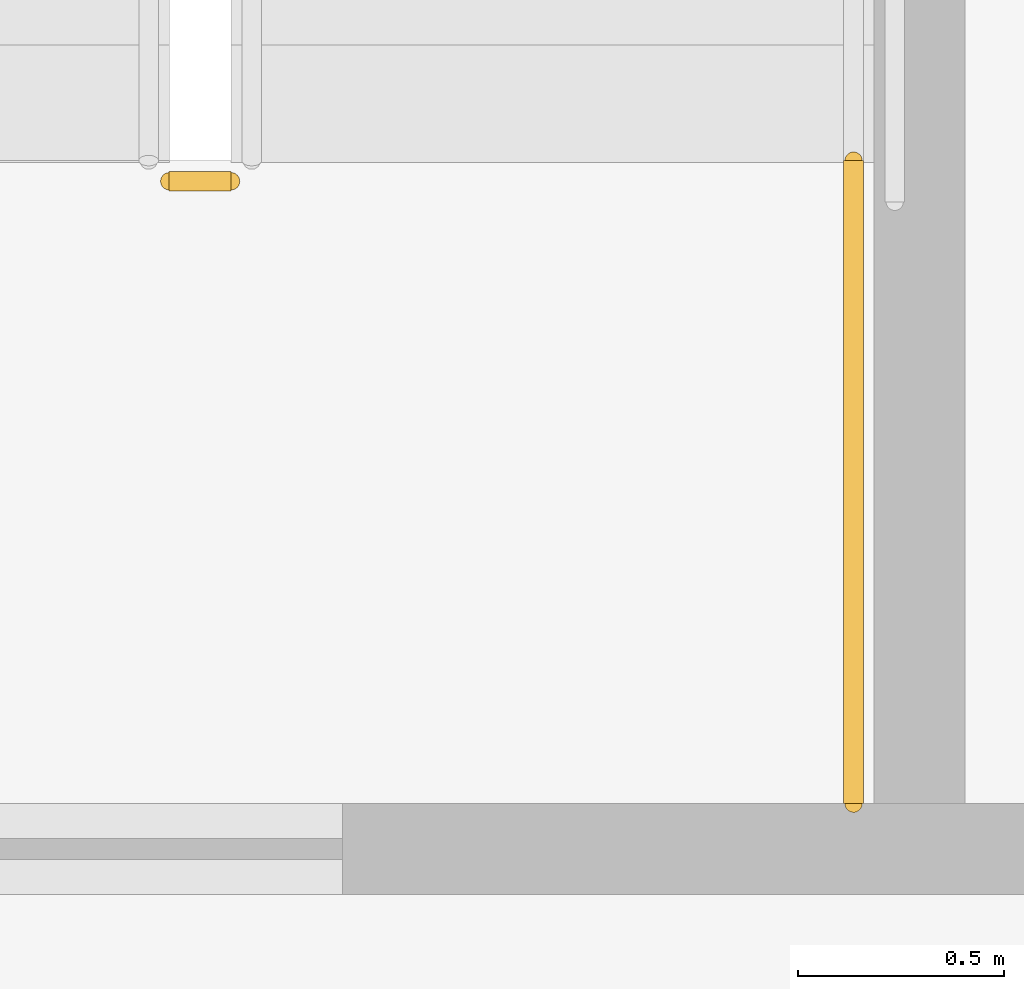
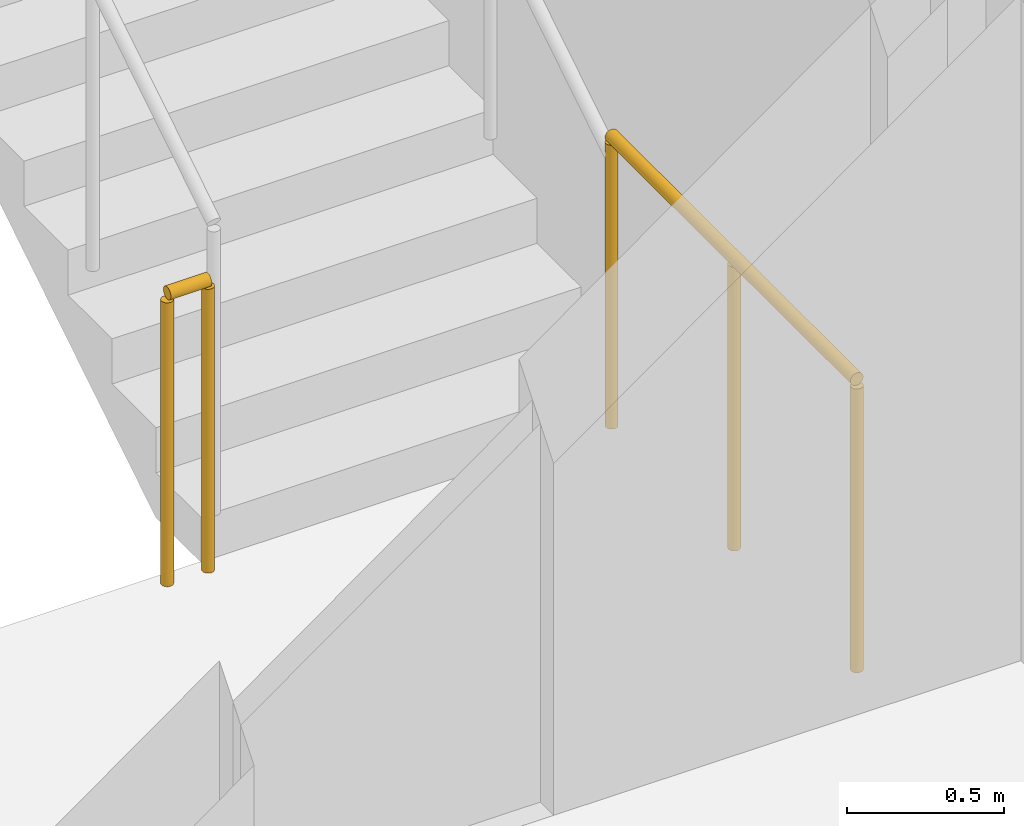
# One storey, part 12 of 15: 2 railings.
"""IFC4 building model written with IfcOpenShell, lengths in metres."""

from ifc_helpers import new_model, si_unit, direction, frame, origin, origin_2d, place, context, subcontext, project, spatial, circle, extrude, material, type_object, element, save


model = new_model("IFC4")

# Units and contexts
model_context = context("Model", 3, precision=1e-05, world=origin(), true_north=direction((0.0, 1.0)))
body_context = subcontext(model_context, "Body", "Model", "MODEL_VIEW")
ifc_project = project(units=[si_unit("LENGTHUNIT", "METRE"), si_unit("AREAUNIT", "SQUARE_METRE"), si_unit("VOLUMEUNIT", "CUBIC_METRE"), si_unit("PLANEANGLEUNIT", "RADIAN"), si_unit("MASSUNIT", "GRAM", prefix="KILO")], contexts=[model_context])

# Site, building, storey
site_placement = place(None, origin())
site = spatial("IfcSite", under=ifc_project, at=site_placement, CompositionType="ELEMENT")
building_placement = place(site_placement, origin())
building = spatial("IfcBuilding", under=site, at=building_placement, Name="Khairoan Windgate Tower", CompositionType="ELEMENT")
storey_placement = place(building_placement, frame((0.0, 0.0, 122.60009765625)))
storey = spatial("IfcBuildingStorey", under=building, at=storey_placement, Name="L28", CompositionType="ELEMENT", Elevation=122.60009765625)

# Railings
ifc_material = material(Name="Steel S355", Category="steel")
railing_type = type_object("IfcRailingType", Name="Stairwell Safety Guardrail SGR-1150", PredefinedType="GUARDRAIL", material=ifc_material)
railing_1_placement = place(storey_placement, frame((-17.7099609375, 2.909912109375, 0.0)))
element("IfcRailing", 1, at=railing_1_placement, inside=storey, type_object=railing_type, Name="L28 ST2 stair guard 7", PredefinedType="GUARDRAIL", context=body_context, shape_type="SweptSolid", body=[
    extrude(circle(Radius=0.02392578125, at=origin_2d()), frame((0.0, 0.0, 1.1259765625), z_axis=(-1.0, 0.0, 0.0), x_axis=(0.0, -1.0, 0.0)), (0.0, 0.0, 1.0), 0.150146484375),
    extrude(circle(Radius=0.02099609375, at=origin_2d()), origin(), (0.0, 0.0, 1.0), 1.101806640625),
    extrude(circle(Radius=0.02099609375, at=origin_2d()), frame((-0.150146484375, 0.0, 0.0)), (0.0, 0.0, 1.0), 1.101806640625),
])
railing_2_placement = place(storey_placement, frame((-16.199951171875, 1.39990234375, 0.0)))
element("IfcRailing", 2, at=railing_2_placement, inside=storey, type_object=railing_type, Name="L28 ST2 stair guard 8", PredefinedType="GUARDRAIL", context=body_context, shape_type="SweptSolid", body=[
    extrude(circle(Radius=0.02392578125, at=origin_2d()), frame((0.0, 0.0, 1.1259765625), z_axis=(0.0, 1.0, 0.0), x_axis=(-1.0, 0.0, 0.0)), (0.0, 0.0, 1.0), 1.56005859375),
    extrude(circle(Radius=0.02099609375, at=origin_2d()), origin(), (0.0, 0.0, 1.0), 1.101806640625),
    extrude(circle(Radius=0.02099609375, at=origin_2d()), frame((0.0, 0.780029296875, 0.0)), (0.0, 0.0, 1.0), 1.101806640625),
    extrude(circle(Radius=0.02099609375, at=origin_2d()), frame((0.0, 1.56005859375, 0.0)), (0.0, 0.0, 1.0), 1.101806640625),
])

save(model, "model.ifc")
